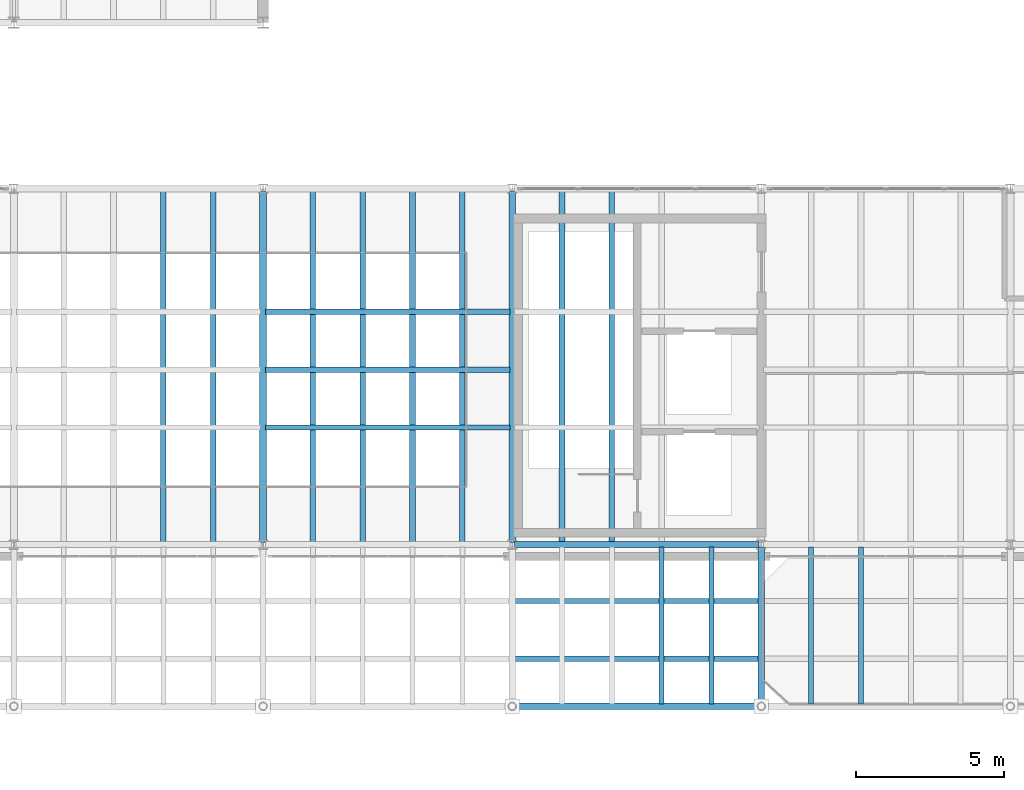
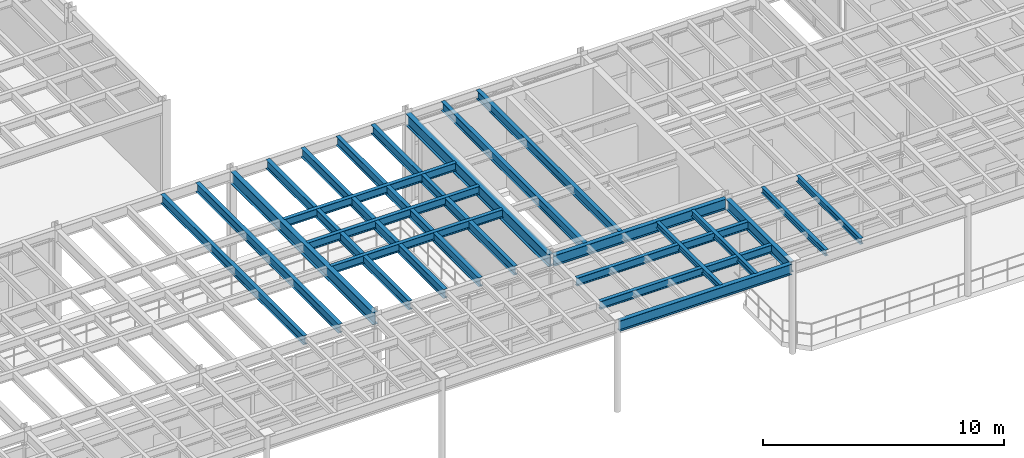
# One storey, part 38 of 105: 22 beams.
"""IFC4 building model written with IfcOpenShell, lengths in metres."""

from ifc_helpers import new_model, si_unit, direction, frame, origin, origin_2d, place, context, subcontext, project, spatial, i_section, extrude, material, material_profile, profile_set, type_object, element, save


model = new_model("IFC4")

# Units and contexts
model_context = context("Model", 3, precision=1e-05, world=origin(), true_north=direction((0.0, 1.0)))
body_context = subcontext(model_context, "Body", "Model", "MODEL_VIEW")
ifc_project = project(units=[si_unit("LENGTHUNIT", "METRE"), si_unit("AREAUNIT", "SQUARE_METRE"), si_unit("VOLUMEUNIT", "CUBIC_METRE"), si_unit("PLANEANGLEUNIT", "RADIAN"), si_unit("MASSUNIT", "GRAM", prefix="KILO")], contexts=[model_context])

# Site, building, storey
site_placement = place(None, origin())
site = spatial("IfcSite", under=ifc_project, at=site_placement, CompositionType="ELEMENT")
building_placement = place(site_placement, origin())
building = spatial("IfcBuilding", under=site, at=building_placement, Name="Selat Folded Stagehouse", CompositionType="ELEMENT")
storey_placement = place(building_placement, frame((0.0, 0.0, 10.199951171875)))
storey = spatial("IfcBuildingStorey", under=building, at=storey_placement, Name="L02", CompositionType="ELEMENT", Elevation=10.199951171875)

# Beams
ifc_material = material(Name="Steel S355", Category="steel")
ifc_material_profile_1 = material_profile(ifc_material, i_section(OverallWidth=0.210693359375, OverallDepth=0.53955078125, WebThickness=0.01171875, FlangeThickness=0.018798828125, FilletRadius=0.0126953125, at=origin_2d()), Name="UKB 533x210x109")
ifc_profile_set_1 = profile_set([ifc_material_profile_1], Name="Steel S355")
beam_type_1 = type_object("IfcBeamType", Name="BM-GIRD-533x210x109", PredefinedType="BEAM", material=ifc_profile_set_1)
beam_1_placement = place(storey_placement, frame((84.0, 0.418212890625, 4.305419921875), z_axis=(0.0, 1.0, 0.0), x_axis=(-1.0, 0.0, 0.0)))
element("IfcBeam", 1, at=beam_1_placement, inside=storey, type_object=beam_type_1, Name="L02 primary y-girder 1063", PredefinedType="BEAM", context=body_context, shape_type="SweptSolid", body=[
    extrude(i_section(OverallWidth=0.210693359375, OverallDepth=0.53955078125, WebThickness=0.01171875, FlangeThickness=0.018798828125, FilletRadius=0.0126953125, at=origin_2d()), origin(), (0.0, 0.0, 1.0), 5.3046875),
])
ifc_material_profile_2 = material_profile(ifc_material, i_section(OverallWidth=0.209228515625, OverallDepth=0.533203125, WebThickness=0.010009765625, FlangeThickness=0.015625, FilletRadius=0.0126953125, at=origin_2d()), Name="UKB 533x210x92")
ifc_profile_set_2 = profile_set([ifc_material_profile_2], Name="Steel S355")
beam_type_2 = type_object("IfcBeamType", Name="BM-GIRD-533x210x92", PredefinedType="BEAM", material=ifc_profile_set_2)
beam_2_placement = place(storey_placement, frame((75.668212890625, 0.35009765625, 4.308349609375), z_axis=(1.0, 0.0, 0.0), x_axis=(0.0, 1.0, 0.0)))
element("IfcBeam", 2, at=beam_2_placement, inside=storey, type_object=beam_type_2, Name="L02 primary x-girder 0986", PredefinedType="BEAM", context=body_context, shape_type="SweptSolid", body=[
    extrude(i_section(OverallWidth=0.209228515625, OverallDepth=0.533203125, WebThickness=0.010009765625, FlangeThickness=0.015625, FilletRadius=0.0126953125, at=origin_2d()), origin(), (0.0, 0.0, 1.0), 8.263427734375),
])
beam_3_placement = place(storey_placement, frame((75.677001953125, 5.800048828125, 4.308349609375), z_axis=(1.0, 0.0, 0.0), x_axis=(0.0, 1.0, 0.0)))
element("IfcBeam", 3, at=beam_3_placement, inside=storey, type_object=beam_type_2, Name="L02 primary x-girder 0994", PredefinedType="BEAM", context=body_context, shape_type="SweptSolid", body=[
    extrude(i_section(OverallWidth=0.209228515625, OverallDepth=0.533203125, WebThickness=0.010009765625, FlangeThickness=0.015625, FilletRadius=0.0126953125, at=origin_2d()), origin(), (0.0, 0.0, 1.0), 8.24609375),
])
ifc_material_profile_3 = material_profile(ifc_material, i_section(OverallWidth=0.230224609375, OverallDepth=0.6171875, WebThickness=0.01318359375, FlangeThickness=0.022216796875, FilletRadius=0.0126953125, at=origin_2d()), Name="UKB 610x229x140")
ifc_profile_set_3 = profile_set([ifc_material_profile_3], Name="Steel S355")
beam_type_3 = type_object("IfcBeamType", Name="BM-GIRD-610x229x140", PredefinedType="BEAM", material=ifc_profile_set_3)
for number, where, z_axis, x_axis, name in (
    (4, (67.199951171875, 5.876953125, 4.266357421875), (0.0, 1.0, 0.0), (-1.0, 0.0, 0.0), "L02 primary y-girder 1057"),
    (5, (75.60009765625, 5.876953125, 4.266357421875), (0.0, 1.0, 0.0), (-1.0, 0.0, 0.0), "L02 primary y-girder 1062"),
):
    element("IfcBeam", number, at=place(storey_placement, frame(where, z_axis=z_axis, x_axis=x_axis)), inside=storey, type_object=beam_type_3, Name=name, PredefinedType="BEAM", context=body_context, shape_type="SweptSolid", body=[
        extrude(i_section(OverallWidth=0.230224609375, OverallDepth=0.6171875, WebThickness=0.01318359375, FlangeThickness=0.022216796875, FilletRadius=0.0126953125, at=origin_2d()), origin(), (0.0, 0.0, 1.0), 11.845947265625),
    ])
ifc_material_profile_4 = material_profile(ifc_material, i_section(OverallWidth=0.1650390625, OverallDepth=0.303466796875, WebThickness=0.006103515625, FlangeThickness=0.01025390625, FilletRadius=0.0087890625, at=origin_2d()), Name="UKB 305x165x40")
ifc_profile_set_4 = profile_set([ifc_material_profile_4], Name="Steel S355")
beam_type_4 = type_object("IfcBeamType", Name="JST-305x165x40", PredefinedType="JOIST", material=ifc_profile_set_4)
for number, where, z_axis, x_axis, name in (
    (6, (80.639892578125, 0.42333984375, 4.42333984375), (0.0, 1.0, 0.0), (-1.0, 0.0, 0.0), "L02 secondary floor joist 1156"),
    (7, (82.320068359375, 0.42333984375, 4.42333984375), (0.0, 1.0, 0.0), (-1.0, 0.0, 0.0), "L02 secondary floor joist 1158"),
    (8, (85.679931640625, 0.42333984375, 4.42333984375), (0.0, 1.0, 0.0), (-1.0, 0.0, 0.0), "L02 secondary floor joist 1159"),
    (9, (87.360107421875, 0.42333984375, 4.42333984375), (0.0, 1.0, 0.0), (-1.0, 0.0, 0.0), "L02 secondary floor joist 1161"),
):
    element("IfcBeam", number, at=place(storey_placement, frame(where, z_axis=z_axis, x_axis=x_axis)), inside=storey, type_object=beam_type_4, Name=name, PredefinedType="JOIST", context=body_context, shape_type="SweptSolid", body=[
        extrude(i_section(OverallWidth=0.1650390625, OverallDepth=0.303466796875, WebThickness=0.006103515625, FlangeThickness=0.01025390625, FilletRadius=0.0087890625, at=origin_2d()), origin(), (0.0, 0.0, 1.0), 5.303466796875),
    ])
ifc_material_profile_5 = material_profile(ifc_material, i_section(OverallWidth=0.177978515625, OverallDepth=0.406494140625, WebThickness=0.0078125, FlangeThickness=0.0126953125, FilletRadius=0.01025390625, at=origin_2d()), Name="UKB 406x178x60")
ifc_profile_set_5 = profile_set([ifc_material_profile_5], Name="Steel S355")
beam_type_5 = type_object("IfcBeamType", Name="JST-406x178x60", PredefinedType="JOIST", material=ifc_profile_set_5)
for number, where, z_axis, x_axis, name in (
    (10, (75.673828125, 1.949951171875, 4.371826171875), (1.0, 0.0, 0.0), (0.0, 1.0, 0.0), "L02 secondary x-joist 1203"),
    (11, (75.673828125, 3.89990234375, 4.371826171875), (1.0, 0.0, 0.0), (0.0, 1.0, 0.0), "L02 secondary x-joist 1212"),
):
    element("IfcBeam", number, at=place(storey_placement, frame(where, z_axis=z_axis, x_axis=x_axis)), inside=storey, type_object=beam_type_5, Name=name, PredefinedType="JOIST", context=body_context, shape_type="SweptSolid", body=[
        extrude(i_section(OverallWidth=0.177978515625, OverallDepth=0.406494140625, WebThickness=0.0078125, FlangeThickness=0.0126953125, FilletRadius=0.01025390625, at=origin_2d()), origin(), (0.0, 0.0, 1.0), 8.25244140625),
    ])
for number, where, z_axis, x_axis, name in (
    (12, (67.280517578125, 9.75, 4.371826171875), (1.0, 0.0, 0.0), (0.0, 1.0, 0.0), "L02 secondary x-joist 1221"),
    (13, (67.280517578125, 11.699951171875, 4.371826171875), (1.0, 0.0, 0.0), (0.0, 1.0, 0.0), "L02 secondary x-joist 1230"),
    (14, (67.280517578125, 13.64990234375, 4.371826171875), (1.0, 0.0, 0.0), (0.0, 1.0, 0.0), "L02 secondary x-joist 1238"),
):
    element("IfcBeam", number, at=place(storey_placement, frame(where, z_axis=z_axis, x_axis=x_axis)), inside=storey, type_object=beam_type_5, Name=name, PredefinedType="JOIST", context=body_context, shape_type="SweptSolid", body=[
        extrude(i_section(OverallWidth=0.177978515625, OverallDepth=0.406494140625, WebThickness=0.0078125, FlangeThickness=0.0126953125, FilletRadius=0.01025390625, at=origin_2d()), origin(), (0.0, 0.0, 1.0), 8.23876953125),
    ])
ifc_material_profile_6 = material_profile(ifc_material, i_section(OverallWidth=0.18994140625, OverallDepth=0.453369140625, WebThickness=0.008544921875, FlangeThickness=0.0126953125, FilletRadius=0.01025390625, at=origin_2d()), Name="UKB 457x191x67")
ifc_profile_set_6 = profile_set([ifc_material_profile_6], Name="Steel S355")
beam_type_6 = type_object("IfcBeamType", Name="JST-457x191x67", PredefinedType="JOIST", material=ifc_profile_set_6)
for number, where, z_axis, x_axis, name in (
    (15, (63.840087890625, 5.873291015625, 4.348388671875), (0.0, 1.0, 0.0), (-1.0, 0.0, 0.0), "L02 secondary floor joist 1139"),
    (16, (65.52001953125, 5.873291015625, 4.348388671875), (0.0, 1.0, 0.0), (-1.0, 0.0, 0.0), "L02 secondary floor joist 1142"),
    (17, (68.8798828125, 5.873291015625, 4.348388671875), (0.0, 1.0, 0.0), (-1.0, 0.0, 0.0), "L02 secondary floor joist 1145"),
    (18, (70.56005859375, 5.873291015625, 4.348388671875), (0.0, 1.0, 0.0), (-1.0, 0.0, 0.0), "L02 secondary floor joist 1147"),
    (19, (72.239990234375, 5.873291015625, 4.348388671875), (0.0, 1.0, 0.0), (-1.0, 0.0, 0.0), "L02 secondary floor joist 1149"),
    (20, (73.919921875, 5.873291015625, 4.348388671875), (0.0, 1.0, 0.0), (-1.0, 0.0, 0.0), "L02 secondary floor joist 1151"),
    (21, (77.280029296875, 5.873291015625, 4.348388671875), (0.0, 1.0, 0.0), (-1.0, 0.0, 0.0), "L02 secondary floor joist 1153"),
    (22, (78.9599609375, 5.873291015625, 4.348388671875), (0.0, 1.0, 0.0), (-1.0, 0.0, 0.0), "L02 secondary floor joist 1155"),
):
    element("IfcBeam", number, at=place(storey_placement, frame(where, z_axis=z_axis, x_axis=x_axis)), inside=storey, type_object=beam_type_6, Name=name, PredefinedType="JOIST", context=body_context, shape_type="SweptSolid", body=[
        extrude(i_section(OverallWidth=0.18994140625, OverallDepth=0.453369140625, WebThickness=0.008544921875, FlangeThickness=0.0126953125, FilletRadius=0.01025390625, at=origin_2d()), origin(), (0.0, 0.0, 1.0), 11.853515625),
    ])

save(model, "model.ifc")
